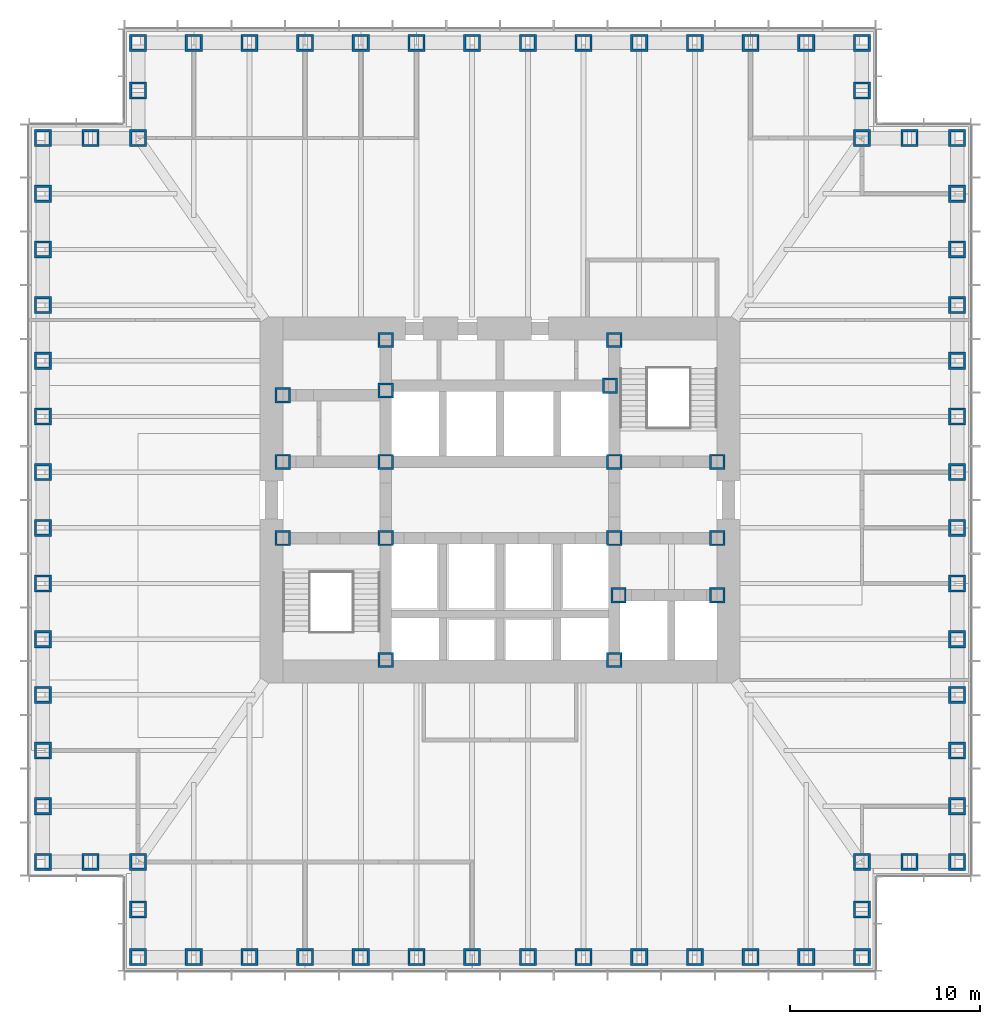
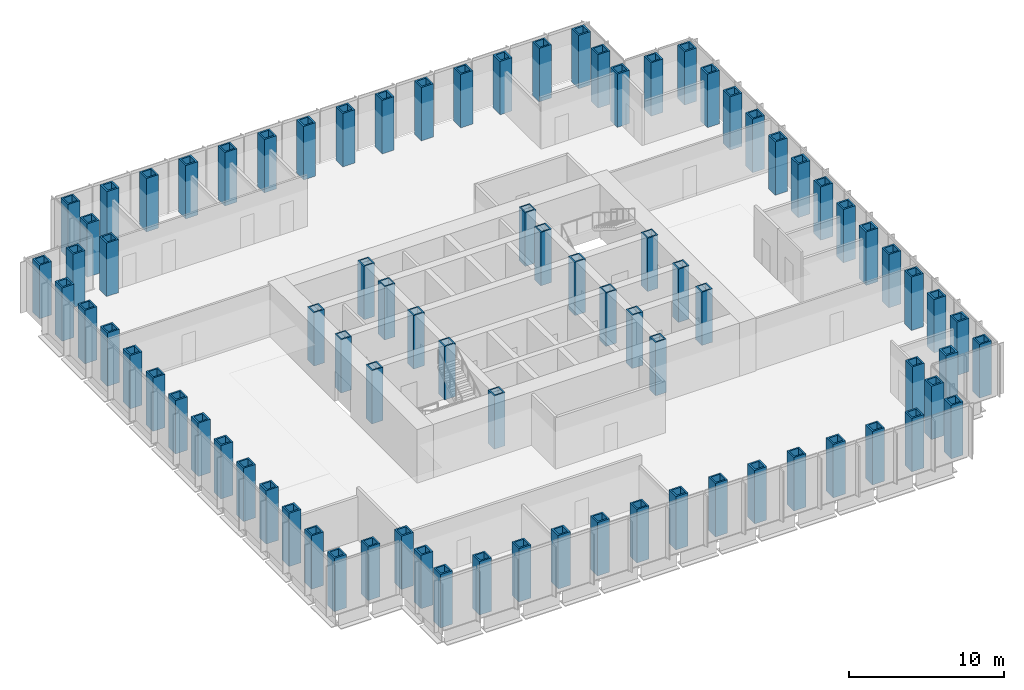
# One storey, part 1 of 16: 85 columns.
"""IFC4 building model written with IfcOpenShell, lengths in metres."""

import ifcopenshell
import ifcopenshell.guid

model = None  # the IFC model being written
_history = None  # IfcOwnerHistory: only IFC2X3 demands one
_inside = {}  # id of a spatial element -> (the spatial element, [elements in it])
_under = {}  # id of a project, library or spatial element -> (it, [spatial elements below it])
_declared = {}  # id of a project -> (the project, [libraries it declares])
_typed = {}  # id of a type object -> (the type object, [elements of that type])
_made_of = {}  # id of a material, layer set ... -> (it, [elements and type objects made of it])


def new_model(schema):
    """Start an empty IFC model of exactly this schema.

    Asked for "IFC4X3", IfcOpenShell would pick the latest addendum, in which some entities
    have other attributes; the version numbers below select the first issue.
    IFC2X3 requires an IfcOwnerHistory on every rooted entity: one is made here for all.
    """
    global model, _history
    if schema == "IFC4X3":
        model = ifcopenshell.file(schema_version=(4, 3, 0, 0))
    else:
        model = ifcopenshell.file(schema=schema)
    _inside.clear()
    _under.clear()
    _declared.clear()
    _typed.clear()
    _made_of.clear()
    _history = None
    if model.schema == "IFC2X3":
        org = make("IfcOrganization", Name="unknown")
        user = make(
            "IfcPersonAndOrganization",
            ThePerson=make("IfcPerson", FamilyName="unknown"),
            TheOrganization=org,
        )
        app = make(
            "IfcApplication",
            ApplicationDeveloper=org,
            Version="unknown",
            ApplicationFullName="unknown",
            ApplicationIdentifier="unknown",
        )
        _history = make(
            "IfcOwnerHistory",
            OwningUser=user,
            OwningApplication=app,
            ChangeAction="ADDED",
            CreationDate=0,
        )
    return model


def make(cls, **values):
    """One entity of the class cls with the attributes given. An attribute that is None is left unset."""
    return model.create_entity(
        cls, **{name: value for name, value in values.items() if value is not None}
    )


def rooted(cls, **values):
    """An entity with a GlobalId (a new one), such as an element, a storey or a relation."""
    return make(cls, GlobalId=ifcopenshell.guid.new(), OwnerHistory=_history, **values)


def si_unit(unit_type, name, prefix=None):
    """IfcSIUnit, for example si_unit("LENGTHUNIT", "METRE", prefix="MILLI")."""
    return make("IfcSIUnit", UnitType=unit_type, Prefix=prefix, Name=name)


def assignment(units):
    """IfcUnitAssignment: the units of a project."""
    return None if units is None else make("IfcUnitAssignment", Units=units)


def point(xyz):
    """IfcCartesianPoint."""
    return None if xyz is None else make("IfcCartesianPoint", Coordinates=xyz)


def direction(xyz):
    """IfcDirection."""
    return None if xyz is None else make("IfcDirection", DirectionRatios=xyz)


def frame(location, z_axis=None, x_axis=None):
    """IfcAxis2Placement3D, a coordinate frame: its origin and axes. An axis left out is left unset."""
    return make(
        "IfcAxis2Placement3D",
        Location=point(location),
        Axis=direction(z_axis),
        RefDirection=direction(x_axis),
    )


def frame_2d(location, x_axis=None):
    """IfcAxis2Placement2D, a coordinate frame in the plane: its origin and x axis."""
    return make(
        "IfcAxis2Placement2D", Location=point(location), RefDirection=direction(x_axis)
    )


def origin():
    """The frame at (0, 0, 0) with its axes left unset."""
    return frame((0.0, 0.0, 0.0))


def origin_2d():
    """The frame at (0, 0) in the plane with its x axis left unset."""
    return frame_2d((0.0, 0.0))


def place(relative_to, where):
    """IfcLocalPlacement: puts the frame where relative to a parent placement (None: the world)."""
    return make(
        "IfcLocalPlacement", PlacementRelTo=relative_to, RelativePlacement=where
    )


def context(
    kind, dimensions, precision=None, world=None, true_north=None, identifier=None
):
    """IfcGeometricRepresentationContext, for example the 3D "Model" context."""
    return make(
        "IfcGeometricRepresentationContext",
        ContextIdentifier=identifier,
        ContextType=kind,
        CoordinateSpaceDimension=dimensions,
        Precision=precision,
        WorldCoordinateSystem=world,
        TrueNorth=true_north,
    )


def subcontext(parent, identifier, kind, view, scale=None):
    """IfcGeometricRepresentationSubContext, for example "Body" below "Model"."""
    return make(
        "IfcGeometricRepresentationSubContext",
        ContextIdentifier=identifier,
        ContextType=kind,
        ParentContext=parent,
        TargetScale=scale,
        TargetView=view,
    )


def project(units=None, contexts=None):
    """IfcProject with its units and contexts."""
    return rooted(
        "IfcProject",
        Name="project",
        RepresentationContexts=contexts,
        UnitsInContext=assignment(units),
    )


def spatial(cls, under=None, at=None, **own):
    """A site, building, storey or space (cls), placed at a placement, below another one or the project."""
    s = rooted(cls, ObjectPlacement=at, **own)
    if under is not None:
        _under.setdefault(under.id(), (under, []))[1].append(s)
    return s


def profile(cls, at=None, kind="AREA", **sizes):
    """A parametric profile (cls). Its sizes go by their IFC names, for example OverallWidth=200.0."""
    return make(cls, ProfileType=kind, Position=at, **sizes)


def hollow_rectangle(**sizes):
    """IfcRectangleHollowProfileDef."""
    return profile("IfcRectangleHollowProfileDef", **sizes)


def extrude(swept, where, along, depth):
    """IfcExtrudedAreaSolid: the profile swept, set in the frame where, extruded along a direction by depth."""
    return make(
        "IfcExtrudedAreaSolid",
        SweptArea=swept,
        Position=where,
        ExtrudedDirection=direction(along),
        Depth=depth,
    )


def shape(context_of_items, identifier, shape_type, items):
    """IfcShapeRepresentation: the items that make up one representation, for example the "Body"."""
    return make(
        "IfcShapeRepresentation",
        ContextOfItems=context_of_items,
        RepresentationIdentifier=identifier,
        RepresentationType=shape_type,
        Items=items,
    )


def material(Name=None, Category=None):
    """IfcMaterial."""
    return make("IfcMaterial", Name=Name, Category=Category)


def material_profile(
    of_material, cross_section, Name=None, Category=None, Priority=None
):
    """IfcMaterialProfile: a cross section and its material."""
    return make(
        "IfcMaterialProfile",
        Name=Name,
        Material=of_material,
        Profile=cross_section,
        Priority=Priority,
        Category=Category,
    )


def profile_set(profiles, Name=None, composite=None):
    """IfcMaterialProfileSet."""
    return make(
        "IfcMaterialProfileSet",
        Name=Name,
        MaterialProfiles=profiles,
        CompositeProfile=composite,
    )


def made_of(thing, what):
    """Note that an element or type object is made of a material, layer set ...; save() writes the relation."""
    if what is not None:
        _made_of.setdefault(what.id(), (what, []))[1].append(thing)
    return thing


def type_object(cls, material=None, **own):
    """A type object (cls), such as IfcWallType, which elements share."""
    return made_of(rooted(cls, **own), material)


def element(
    cls,
    number,
    at=None,
    inside=None,
    cuts=None,
    type_object=None,
    material=None,
    context=None,
    identifier="Body",
    shape_type=None,
    held_by="IfcProductDefinitionShape",
    body=None,
    shapes=None,
    **own,
):
    """One element of the class cls, such as IfcWall. Its Tag is "e" and its number.

    at: its placement. inside: the storey or other place that contains it. cuts: it is an
    opening in that element (IfcRelVoidsElement). A single representation is given by context,
    identifier, shape_type and body (its items); several are given by shapes. held_by: the class
    of the entity that holds the representations. save() writes the other relations.
    """
    e = rooted(cls, Tag="e%d" % number, ObjectPlacement=at, **own)
    if body is not None:
        shapes = [shape(context, identifier, shape_type, body)]
    if shapes is not None:
        e.Representation = make(held_by, Representations=shapes)
    if inside is not None:
        _inside.setdefault(inside.id(), (inside, []))[1].append(e)
    if cuts is not None:
        rooted(
            "IfcRelVoidsElement", RelatingBuildingElement=cuts, RelatedOpeningElement=e
        )
    if type_object is not None:
        _typed.setdefault(type_object.id(), (type_object, []))[1].append(e)
    return made_of(e, material)


def aggregate(whole, parts):
    """IfcRelAggregates: a whole, such as a stair, and the parts it consists of."""
    return rooted("IfcRelAggregates", RelatingObject=whole, RelatedObjects=parts)


def save(model, path):
    """Write the relations noted so far, then the file.

    IfcRelAggregates (storeys below a building ...), IfcRelContainedInSpatialStructure (elements
    in a storey), IfcRelDefinesByType, IfcRelAssociatesMaterial and IfcRelDeclares: one each for
    every whole, place, type object, material and project.
    """
    for whole, parts in _under.values():
        aggregate(whole, parts)
    for where, things in _inside.values():
        rooted(
            "IfcRelContainedInSpatialStructure",
            RelatedElements=things,
            RelatingStructure=where,
        )
    for kind, things in _typed.values():
        rooted("IfcRelDefinesByType", RelatedObjects=things, RelatingType=kind)
    for what, things in _made_of.values():
        rooted("IfcRelAssociatesMaterial", RelatedObjects=things, RelatingMaterial=what)
    for by, libraries in _declared.values():
        rooted("IfcRelDeclares", RelatingContext=by, RelatedDefinitions=libraries)
    model.write(path)


model = new_model("IFC4")

# Units and contexts
model_context = context("Model", 3, precision=1e-05, world=origin(), true_north=direction((0.0, 1.0)))
body_context = subcontext(model_context, "Body", "Model", "MODEL_VIEW")
ifc_project = project(units=[si_unit("LENGTHUNIT", "METRE"), si_unit("AREAUNIT", "SQUARE_METRE"), si_unit("VOLUMEUNIT", "CUBIC_METRE"), si_unit("PLANEANGLEUNIT", "RADIAN"), si_unit("MASSUNIT", "GRAM", prefix="KILO")], contexts=[model_context])

# Site, building, storey
site_placement = place(None, origin())
site = spatial("IfcSite", under=ifc_project, at=site_placement, CompositionType="ELEMENT")
building_placement = place(site_placement, origin())
building = spatial("IfcBuilding", under=site, at=building_placement, Name="Daluyong Arena Tower", CompositionType="ELEMENT")
storey_placement = place(building_placement, frame((0.0, 0.0, 68.5)))
storey = spatial("IfcBuildingStorey", under=building, at=storey_placement, Name="L14", CompositionType="ELEMENT", Elevation=68.5)

# Columns
ifc_material_1 = material(Name="Steel ASTM A572 Grade 50", Category="steel")
ifc_material_profile_1 = material_profile(ifc_material_1, hollow_rectangle(XDim=0.800048828125, YDim=0.800048828125, WallThickness=0.1, at=origin_2d()))
ifc_profile_set_1 = profile_set([ifc_material_profile_1], Name="Steel ASTM A572 Grade 50")
column_type_1 = type_object("IfcColumnType", Name="Core boundary column BX800X100", PredefinedType="COLUMN", material=ifc_profile_set_1)
for number, where, z_axis, x_axis, name in (
    (1, (44.60009765625, 78.0, 0.0), (0.0, 0.0, 1.0), (1.0, 0.0, 0.0), "core boundary column BC2"),
    (2, (44.60009765625, 82.0, 0.0), (0.0, 0.0, 1.0), (1.0, 0.0, 0.0), "core boundary column BC2"),
    (3, (44.60009765625, 85.5, 0.0), (0.0, 0.0, 1.0), (1.0, 0.0, 0.0), "core boundary column BC2"),
    (4, (50.0, 71.60009765625, 0.0), (0.0, 0.0, 1.0), (1.0, 0.0, 0.0), "core boundary column BC2"),
    (5, (50.0, 78.0, 0.0), (0.0, 0.0, 1.0), (1.0, 0.0, 0.0), "core boundary column BC2"),
    (6, (50.0, 82.0, 0.0), (0.0, 0.0, 1.0), (1.0, 0.0, 0.0), "core boundary column BC2"),
    (7, (50.0, 85.75, 0.0), (0.0, 0.0, 1.0), (1.0, 0.0, 0.0), "core boundary column BC2"),
    (8, (50.0, 88.39990234375, 0.0), (0.0, 0.0, 1.0), (1.0, 0.0, 0.0), "core boundary column BC2"),
    (9, (61.77490234375, 86.0, 0.0), (0.0, 0.0, 1.0), (1.0, 0.0, 0.0), "core boundary column BC2"),
    (10, (62.0, 71.60009765625, 0.0), (0.0, 0.0, 1.0), (1.0, 0.0, 0.0), "core boundary column BC2"),
    (11, (62.0, 78.0, 0.0), (0.0, 0.0, 1.0), (1.0, 0.0, 0.0), "core boundary column BC2"),
    (12, (62.0, 82.0, 0.0), (0.0, 0.0, 1.0), (1.0, 0.0, 0.0), "core boundary column BC2"),
    (13, (62.0, 88.39990234375, 0.0), (0.0, 0.0, 1.0), (1.0, 0.0, 0.0), "core boundary column BC2"),
    (14, (62.22509765625, 75.0, 0.0), (0.0, 0.0, 1.0), (1.0, 0.0, 0.0), "core boundary column BC2"),
    (15, (67.39990234375, 75.0, 0.0), (0.0, 0.0, 1.0), (1.0, 0.0, 0.0), "core boundary column BC2"),
    (16, (67.39990234375, 78.0, 0.0), (0.0, 0.0, 1.0), (1.0, 0.0, 0.0), "core boundary column BC2"),
    (17, (67.39990234375, 82.0, 0.0), (0.0, 0.0, 1.0), (1.0, 0.0, 0.0), "core boundary column BC2"),
):
    element("IfcColumn", number, at=place(storey_placement, frame(where, z_axis=z_axis, x_axis=x_axis)), inside=storey, type_object=column_type_1, Name=name, PredefinedType="COLUMN", context=body_context, shape_type="SweptSolid", body=[
        extrude(hollow_rectangle(XDim=0.800048828125, YDim=0.800048828125, WallThickness=0.1, at=origin_2d()), origin(), (0.0, 0.0, 1.0), 4.199951171875),
    ])
ifc_material_2 = material(Name="Steel ASTM A588 Grade 50", Category="steel")
ifc_material_profile_2 = material_profile(ifc_material_2, hollow_rectangle(XDim=0.89990234375, YDim=0.89990234375, WallThickness=0.12, at=origin_2d()))
ifc_profile_set_2 = profile_set([ifc_material_profile_2], Name="Steel ASTM A588 Grade 50")
column_type_2 = type_object("IfcColumnType", Name="Tube column BX900X120 BX900X120", PredefinedType="COLUMN", material=ifc_profile_set_2)
for number, where, z_axis, x_axis, name in (
    (18, (37.0, 56.0, 0.0), (0.0, 0.0, 1.0), (1.0, 0.0, 0.0), "tube column bx900x120 TC4"),
    (19, (39.923095703125, 56.0, 0.0), (0.0, 0.0, 1.0), (1.0, 0.0, 0.0), "tube column bx900x120 TC4"),
    (20, (42.84619140625, 56.0, 0.0), (0.0, 0.0, 1.0), (1.0, 0.0, 0.0), "tube column bx900x120 TC4"),
    (21, (45.769287109375, 56.0, 0.0), (0.0, 0.0, 1.0), (1.0, 0.0, 0.0), "tube column bx900x120 TC4"),
    (22, (48.6923828125, 56.0, 0.0), (0.0, 0.0, 1.0), (1.0, 0.0, 0.0), "tube column bx900x120 TC4"),
    (23, (51.615478515625, 56.0, 0.0), (0.0, 0.0, 1.0), (1.0, 0.0, 0.0), "tube column bx900x120 TC4"),
    (24, (54.53857421875, 56.0, 0.0), (0.0, 0.0, 1.0), (1.0, 0.0, 0.0), "tube column bx900x120 TC4"),
    (25, (57.46142578125, 56.0, 0.0), (0.0, 0.0, 1.0), (1.0, 0.0, 0.0), "tube column bx900x120 TC4"),
    (26, (60.384521484375, 56.0, 0.0), (0.0, 0.0, 1.0), (1.0, 0.0, 0.0), "tube column bx900x120 TC4"),
    (27, (63.3076171875, 56.0, 0.0), (0.0, 0.0, 1.0), (1.0, 0.0, 0.0), "tube column bx900x120 TC4"),
    (28, (66.230712890625, 56.0, 0.0), (0.0, 0.0, 1.0), (1.0, 0.0, 0.0), "tube column bx900x120 TC4"),
    (29, (69.15380859375, 56.0, 0.0), (0.0, 0.0, 1.0), (1.0, 0.0, 0.0), "tube column bx900x120 TC4"),
    (30, (72.076904296875, 56.0, 0.0), (0.0, 0.0, 1.0), (1.0, 0.0, 0.0), "tube column bx900x120 TC4"),
    (31, (75.0, 56.0, 0.0), (0.0, 0.0, 1.0), (0.0, 1.0, 0.0), "tube column bx900x120 TC4"),
    (32, (75.0, 58.5, 0.0), (0.0, 0.0, 1.0), (0.0, 1.0, 0.0), "tube column bx900x120 TC4"),
    (33, (75.0, 61.0, 0.0), (0.0, 0.0, 1.0), (1.0, 0.0, 0.0), "tube column bx900x120 TC4"),
    (34, (77.5, 61.0, 0.0), (0.0, 0.0, 1.0), (1.0, 0.0, 0.0), "tube column bx900x120 TC4"),
    (35, (80.0, 61.0, 0.0), (0.0, 0.0, 1.0), (0.0, 1.0, 0.0), "tube column bx900x120 TC4"),
    (36, (80.0, 63.923095703125, 0.0), (0.0, 0.0, 1.0), (0.0, 1.0, 0.0), "tube column bx900x120 TC4"),
    (37, (80.0, 66.84619140625, 0.0), (0.0, 0.0, 1.0), (0.0, 1.0, 0.0), "tube column bx900x120 TC4"),
    (38, (80.0, 69.769287109375, 0.0), (0.0, 0.0, 1.0), (0.0, 1.0, 0.0), "tube column bx900x120 TC4"),
    (39, (80.0, 72.6923828125, 0.0), (0.0, 0.0, 1.0), (0.0, 1.0, 0.0), "tube column bx900x120 TC4"),
    (40, (80.0, 75.615478515625, 0.0), (0.0, 0.0, 1.0), (0.0, 1.0, 0.0), "tube column bx900x120 TC4"),
    (41, (80.0, 78.53857421875, 0.0), (0.0, 0.0, 1.0), (0.0, 1.0, 0.0), "tube column bx900x120 TC4"),
    (42, (80.0, 81.46142578125, 0.0), (0.0, 0.0, 1.0), (0.0, 1.0, 0.0), "tube column bx900x120 TC4"),
    (43, (80.0, 84.384521484375, 0.0), (0.0, 0.0, 1.0), (0.0, 1.0, 0.0), "tube column bx900x120 TC4"),
    (44, (80.0, 87.3076171875, 0.0), (0.0, 0.0, 1.0), (0.0, 1.0, 0.0), "tube column bx900x120 TC4"),
    (45, (80.0, 90.230712890625, 0.0), (0.0, 0.0, 1.0), (0.0, 1.0, 0.0), "tube column bx900x120 TC4"),
    (46, (80.0, 93.15380859375, 0.0), (0.0, 0.0, 1.0), (0.0, 1.0, 0.0), "tube column bx900x120 TC4"),
    (47, (80.0, 96.076904296875, 0.0), (0.0, 0.0, 1.0), (0.0, 1.0, 0.0), "tube column bx900x120 TC4"),
    (48, (80.0, 99.0, 0.0), (0.0, 0.0, 1.0), (1.0, 0.0, 0.0), "tube column bx900x120 TC4"),
    (49, (77.5, 99.0, 0.0), (0.0, 0.0, 1.0), (1.0, 0.0, 0.0), "tube column bx900x120 TC4"),
    (50, (75.0, 99.0, 0.0), (0.0, 0.0, 1.0), (0.0, 1.0, 0.0), "tube column bx900x120 TC4"),
    (51, (75.0, 101.5, 0.0), (0.0, 0.0, 1.0), (0.0, 1.0, 0.0), "tube column bx900x120 TC4"),
    (52, (75.0, 104.0, 0.0), (0.0, 0.0, 1.0), (1.0, 0.0, 0.0), "tube column bx900x120 TC4"),
    (53, (72.076904296875, 104.0, 0.0), (0.0, 0.0, 1.0), (1.0, 0.0, 0.0), "tube column bx900x120 TC4"),
    (54, (69.15380859375, 104.0, 0.0), (0.0, 0.0, 1.0), (1.0, 0.0, 0.0), "tube column bx900x120 TC4"),
    (55, (66.230712890625, 104.0, 0.0), (0.0, 0.0, 1.0), (1.0, 0.0, 0.0), "tube column bx900x120 TC4"),
    (56, (63.3076171875, 104.0, 0.0), (0.0, 0.0, 1.0), (1.0, 0.0, 0.0), "tube column bx900x120 TC4"),
    (57, (60.384521484375, 104.0, 0.0), (0.0, 0.0, 1.0), (1.0, 0.0, 0.0), "tube column bx900x120 TC4"),
    (58, (57.46142578125, 104.0, 0.0), (0.0, 0.0, 1.0), (1.0, 0.0, 0.0), "tube column bx900x120 TC4"),
    (59, (54.53857421875, 104.0, 0.0), (0.0, 0.0, 1.0), (1.0, 0.0, 0.0), "tube column bx900x120 TC4"),
    (60, (51.615478515625, 104.0, 0.0), (0.0, 0.0, 1.0), (1.0, 0.0, 0.0), "tube column bx900x120 TC4"),
    (61, (48.6923828125, 104.0, 0.0), (0.0, 0.0, 1.0), (1.0, 0.0, 0.0), "tube column bx900x120 TC4"),
    (62, (45.769287109375, 104.0, 0.0), (0.0, 0.0, 1.0), (1.0, 0.0, 0.0), "tube column bx900x120 TC4"),
    (63, (42.84619140625, 104.0, 0.0), (0.0, 0.0, 1.0), (1.0, 0.0, 0.0), "tube column bx900x120 TC4"),
    (64, (39.923095703125, 104.0, 0.0), (0.0, 0.0, 1.0), (1.0, 0.0, 0.0), "tube column bx900x120 TC4"),
    (65, (37.0, 104.0, 0.0), (0.0, 0.0, 1.0), (0.0, 1.0, 0.0), "tube column bx900x120 TC4"),
    (66, (37.0, 101.5, 0.0), (0.0, 0.0, 1.0), (0.0, 1.0, 0.0), "tube column bx900x120 TC4"),
    (67, (37.0, 99.0, 0.0), (0.0, 0.0, 1.0), (1.0, 0.0, 0.0), "tube column bx900x120 TC4"),
    (68, (34.5, 99.0, 0.0), (0.0, 0.0, 1.0), (1.0, 0.0, 0.0), "tube column bx900x120 TC4"),
    (69, (32.0, 99.0, 0.0), (0.0, 0.0, 1.0), (0.0, 1.0, 0.0), "tube column bx900x120 TC4"),
    (70, (32.0, 96.076904296875, 0.0), (0.0, 0.0, 1.0), (0.0, 1.0, 0.0), "tube column bx900x120 TC4"),
    (71, (32.0, 93.15380859375, 0.0), (0.0, 0.0, 1.0), (0.0, 1.0, 0.0), "tube column bx900x120 TC4"),
    (72, (32.0, 90.230712890625, 0.0), (0.0, 0.0, 1.0), (0.0, 1.0, 0.0), "tube column bx900x120 TC4"),
    (73, (32.0, 87.3076171875, 0.0), (0.0, 0.0, 1.0), (0.0, 1.0, 0.0), "tube column bx900x120 TC4"),
    (74, (32.0, 84.384521484375, 0.0), (0.0, 0.0, 1.0), (0.0, 1.0, 0.0), "tube column bx900x120 TC4"),
    (75, (32.0, 81.46142578125, 0.0), (0.0, 0.0, 1.0), (0.0, 1.0, 0.0), "tube column bx900x120 TC4"),
    (76, (32.0, 78.53857421875, 0.0), (0.0, 0.0, 1.0), (0.0, 1.0, 0.0), "tube column bx900x120 TC4"),
    (77, (32.0, 75.615478515625, 0.0), (0.0, 0.0, 1.0), (0.0, 1.0, 0.0), "tube column bx900x120 TC4"),
    (78, (32.0, 72.6923828125, 0.0), (0.0, 0.0, 1.0), (0.0, 1.0, 0.0), "tube column bx900x120 TC4"),
    (79, (32.0, 69.769287109375, 0.0), (0.0, 0.0, 1.0), (0.0, 1.0, 0.0), "tube column bx900x120 TC4"),
    (80, (32.0, 66.84619140625, 0.0), (0.0, 0.0, 1.0), (0.0, 1.0, 0.0), "tube column bx900x120 TC4"),
    (81, (32.0, 63.923095703125, 0.0), (0.0, 0.0, 1.0), (0.0, 1.0, 0.0), "tube column bx900x120 TC4"),
    (82, (32.0, 61.0, 0.0), (0.0, 0.0, 1.0), (1.0, 0.0, 0.0), "tube column bx900x120 TC4"),
    (83, (34.5, 61.0, 0.0), (0.0, 0.0, 1.0), (1.0, 0.0, 0.0), "tube column bx900x120 TC4"),
    (84, (37.0, 61.0, 0.0), (0.0, 0.0, 1.0), (0.0, 1.0, 0.0), "tube column bx900x120 TC4"),
    (85, (37.0, 58.5, 0.0), (0.0, 0.0, 1.0), (0.0, 1.0, 0.0), "tube column bx900x120 TC4"),
):
    element("IfcColumn", number, at=place(storey_placement, frame(where, z_axis=z_axis, x_axis=x_axis)), inside=storey, type_object=column_type_2, Name=name, PredefinedType="COLUMN", context=body_context, shape_type="SweptSolid", body=[
        extrude(hollow_rectangle(XDim=0.89990234375, YDim=0.89990234375, WallThickness=0.12, at=origin_2d()), origin(), (0.0, 0.0, 1.0), 4.199951171875),
    ])

save(model, "model.ifc")
